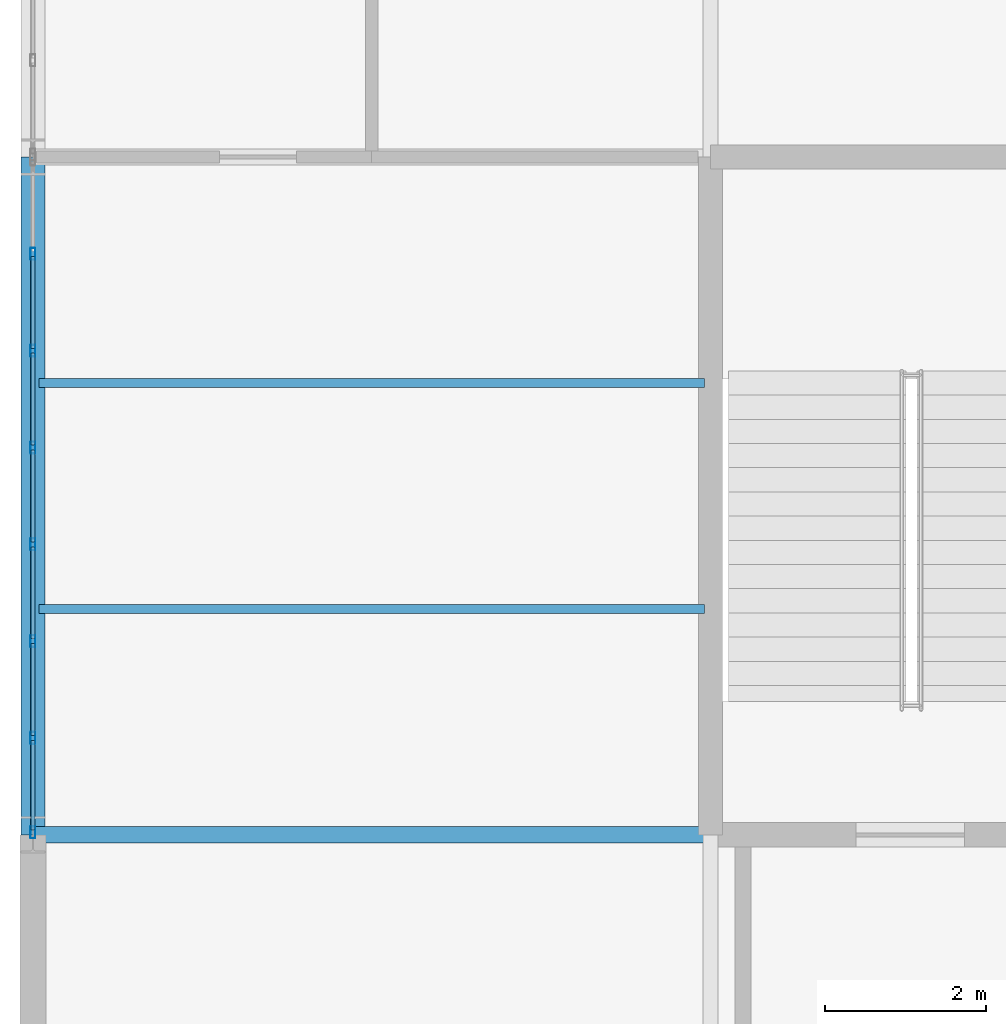
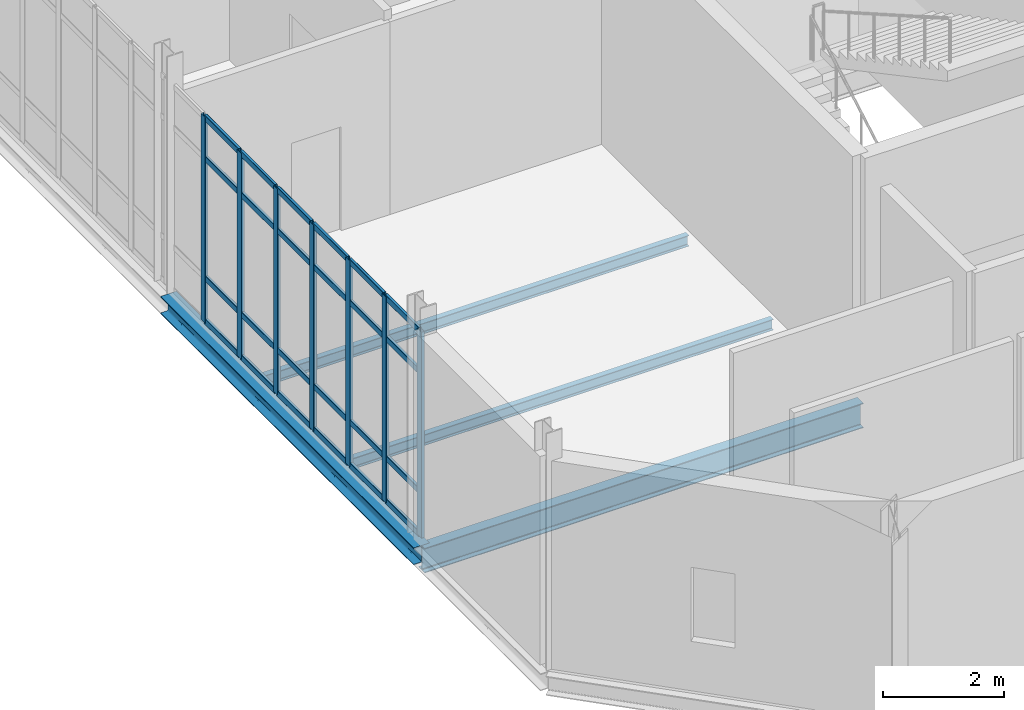
# One storey, part 5 of 28: 31 members, 4 beams, 1 element without a shape of its own.
"""IFC4 building model written with IfcOpenShell, lengths in metres."""

from ifc_helpers import new_model, si_unit, direction, frame, origin, origin_2d, place, context, subcontext, project, spatial, hollow_rectangle, i_section, extrude, material, layer, layer_set, material_profile, profile_set, type_object, element, aggregate, save


model = new_model("IFC4")

# Units and contexts
model_context = context("Model", 3, precision=1e-05, world=origin(), true_north=direction((0.0, 1.0)))
body_context = subcontext(model_context, "Body", "Model", "MODEL_VIEW")
ifc_project = project(units=[si_unit("LENGTHUNIT", "METRE"), si_unit("AREAUNIT", "SQUARE_METRE"), si_unit("VOLUMEUNIT", "CUBIC_METRE"), si_unit("PLANEANGLEUNIT", "RADIAN"), si_unit("MASSUNIT", "GRAM", prefix="KILO")], contexts=[model_context])

# Site, building, storey
site_placement = place(None, origin())
site = spatial("IfcSite", under=ifc_project, at=site_placement, CompositionType="ELEMENT")
building_placement = place(site_placement, origin())
building = spatial("IfcBuilding", under=site, at=building_placement, Name="Qalvenar Corner Mobility Hub", CompositionType="ELEMENT")
storey_placement = place(building_placement, frame((0.0, 0.0, 21.60009765625)))
storey = spatial("IfcBuildingStorey", under=building, at=storey_placement, Name="L05", CompositionType="ELEMENT", Elevation=21.60009765625)

# Beams
ifc_material_1 = material(Name="Steel S355", Category="steel")
ifc_material_profile_1 = material_profile(ifc_material_1, i_section(OverallWidth=0.199951171875, OverallDepth=0.5, WebThickness=0.01025390625, FlangeThickness=0.01611328125, FilletRadius=0.02099609375, at=origin_2d()), Name="IPE500")
ifc_profile_set_1 = profile_set([ifc_material_profile_1], Name="Steel S355")
beam_type_1 = type_object("IfcBeamType", Name="BM-IPE500", PredefinedType="BEAM", material=ifc_profile_set_1)
beam_1_placement = place(storey_placement, frame((0.0, 8.39990234375, -0.43017578125), z_axis=(1.0, 0.0, 0.0), x_axis=(0.0, 1.0, 0.0)))
element("IfcBeam", 1, at=beam_1_placement, inside=storey, type_object=beam_type_1, Name="Primary Steel Girder GX-2950", PredefinedType="BEAM", context=body_context, shape_type="SweptSolid", body=[
    extrude(i_section(OverallWidth=0.199951171875, OverallDepth=0.5, WebThickness=0.01025390625, FlangeThickness=0.01611328125, FilletRadius=0.02099609375, at=origin_2d()), origin(), (0.0, 0.0, 1.0), 8.39990234375),
])
ifc_material_profile_2 = material_profile(ifc_material_1, i_section(OverallWidth=0.110107421875, OverallDepth=0.219970703125, WebThickness=0.005859375, FlangeThickness=0.00927734375, FilletRadius=0.011962890625, at=origin_2d()), Name="IPE220")
ifc_profile_set_2 = profile_set([ifc_material_profile_2], Name="Steel S355")
beam_type_2 = type_object("IfcBeamType", Name="BM-JST220", PredefinedType="JOIST", material=ifc_profile_set_2)
for number, where, z_axis, x_axis, name in (
    (2, (0.077880859375, 11.199951171875, -0.2900390625), (1.0, 0.0, 0.0), (0.0, 1.0, 0.0), "Composite Floor Joist J-3008"),
    (3, (0.077880859375, 14.0, -0.2900390625), (1.0, 0.0, 0.0), (0.0, 1.0, 0.0), "Composite Floor Joist J-3009"),
):
    element("IfcBeam", number, at=place(storey_placement, frame(where, z_axis=z_axis, x_axis=x_axis)), inside=storey, type_object=beam_type_2, Name=name, PredefinedType="JOIST", context=body_context, shape_type="SweptSolid", body=[
        extrude(i_section(OverallWidth=0.110107421875, OverallDepth=0.219970703125, WebThickness=0.005859375, FlangeThickness=0.00927734375, FilletRadius=0.011962890625, at=origin_2d()), origin(), (0.0, 0.0, 1.0), 8.244140625),
    ])
ifc_material_profile_3 = material_profile(ifc_material_1, i_section(OverallWidth=0.300048828125, OverallDepth=0.35009765625, WebThickness=0.010009765625, FlangeThickness=0.017578125, FilletRadius=0.027099609375, at=origin_2d()), Name="HEA360")
ifc_profile_set_3 = profile_set([ifc_material_profile_3], Name="Steel S355")
beam_type_3 = type_object("IfcBeamType", Name="BM-SPN360", PredefinedType="SPANDREL", material=ifc_profile_set_3)
beam_2_placement = place(storey_placement, frame((0.0, 8.39990234375, -0.35498046875), z_axis=(0.0, 1.0, 0.0), x_axis=(-1.0, 0.0, 0.0)))
element("IfcBeam", 4, at=beam_2_placement, inside=storey, type_object=beam_type_3, Name="Primary Steel Girder GY-2976", PredefinedType="SPANDREL", context=body_context, shape_type="SweptSolid", body=[
    extrude(i_section(OverallWidth=0.300048828125, OverallDepth=0.35009765625, WebThickness=0.010009765625, FlangeThickness=0.017578125, FilletRadius=0.027099609375, at=origin_2d()), origin(), (0.0, 0.0, 1.0), 8.400146484375),
])

# Curtain wall, members
ifc_material_2 = material(Name="Anodised Aluminium and Low-E Glazing", Category="aluminium")
ifc_layer = layer(ifc_material_2, 0.14990234375)
ifc_layer_set = layer_set([ifc_layer], Name="Anodised Aluminium and Low-E Glazing")
curtain_wall_type = type_object("IfcCurtainWallType", Name="CW-CIV-84X40", PredefinedType="NOTDEFINED", material=ifc_layer_set)
curtain_wall_placement = place(storey_placement, origin())
curtain_wall = element("IfcCurtainWall", 5, at=curtain_wall_placement, inside=storey, type_object=curtain_wall_type, Name="Glazed Curtain Wall CW-V3-L05-W1", PredefinedType="NOTDEFINED")
ifc_material_3 = material(Name="Anodised Aluminium 6063-T6", Category="aluminium")
ifc_material_profile_4 = material_profile(ifc_material_3, hollow_rectangle(XDim=0.06005859375, YDim=0.14990234375, WallThickness=0.00390625, InnerFilletRadius=0.00390625, OuterFilletRadius=0.008056640625, at=origin_2d()), Name="RHS150x60x4")
ifc_profile_set_4 = profile_set([ifc_material_profile_4], Name="Anodised Aluminium 6063-T6")
member_type_1 = type_object("IfcMemberType", Name="CW-MUL150", PredefinedType="MULLION", material=ifc_profile_set_4)
member_1_placement = place(storey_placement, frame((0.0, 15.60009765625, 0.0), z_axis=(0.0, 0.0, 1.0), x_axis=(1.0, 0.0, 0.0)))
member_1 = element("IfcMember", 6, at=member_1_placement, type_object=member_type_1, Name="CW-05 mullion 2", PredefinedType="MULLION", context=body_context, shape_type="SweptSolid", body=[
    extrude(hollow_rectangle(XDim=0.06005859375, YDim=0.14990234375, WallThickness=0.00390625, InnerFilletRadius=0.00390625, OuterFilletRadius=0.008056640625, at=origin_2d()), origin(), (0.0, 0.0, 1.0), 4.169921875),
])
member_2_placement = place(storey_placement, frame((0.0, 14.39990234375, 0.0), z_axis=(0.0, 0.0, 1.0), x_axis=(1.0, 0.0, 0.0)))
member_2 = element("IfcMember", 7, at=member_2_placement, type_object=member_type_1, Name="CW-05 mullion 3", PredefinedType="MULLION", context=body_context, shape_type="SweptSolid", body=[
    extrude(hollow_rectangle(XDim=0.06005859375, YDim=0.14990234375, WallThickness=0.00390625, InnerFilletRadius=0.00390625, OuterFilletRadius=0.008056640625, at=origin_2d()), origin(), (0.0, 0.0, 1.0), 4.169921875),
])
member_3_placement = place(storey_placement, frame((0.0, 13.199951171875, 0.0), z_axis=(0.0, 0.0, 1.0), x_axis=(1.0, 0.0, 0.0)))
member_3 = element("IfcMember", 8, at=member_3_placement, type_object=member_type_1, Name="CW-05 mullion 4", PredefinedType="MULLION", context=body_context, shape_type="SweptSolid", body=[
    extrude(hollow_rectangle(XDim=0.06005859375, YDim=0.14990234375, WallThickness=0.00390625, InnerFilletRadius=0.00390625, OuterFilletRadius=0.008056640625, at=origin_2d()), origin(), (0.0, 0.0, 1.0), 4.169921875),
])
member_4_placement = place(storey_placement, frame((0.0, 12.0, 0.0), z_axis=(0.0, 0.0, 1.0), x_axis=(1.0, 0.0, 0.0)))
member_4 = element("IfcMember", 9, at=member_4_placement, type_object=member_type_1, Name="CW-05 mullion 5", PredefinedType="MULLION", context=body_context, shape_type="SweptSolid", body=[
    extrude(hollow_rectangle(XDim=0.06005859375, YDim=0.14990234375, WallThickness=0.00390625, InnerFilletRadius=0.00390625, OuterFilletRadius=0.008056640625, at=origin_2d()), origin(), (0.0, 0.0, 1.0), 4.169921875),
])
member_5_placement = place(storey_placement, frame((0.0, 10.800048828125, 0.0), z_axis=(0.0, 0.0, 1.0), x_axis=(1.0, 0.0, 0.0)))
member_5 = element("IfcMember", 10, at=member_5_placement, type_object=member_type_1, Name="CW-05 mullion 6", PredefinedType="MULLION", context=body_context, shape_type="SweptSolid", body=[
    extrude(hollow_rectangle(XDim=0.06005859375, YDim=0.14990234375, WallThickness=0.00390625, InnerFilletRadius=0.00390625, OuterFilletRadius=0.008056640625, at=origin_2d()), origin(), (0.0, 0.0, 1.0), 4.169921875),
])
member_6_placement = place(storey_placement, frame((0.0, 9.60009765625, 0.0), z_axis=(0.0, 0.0, 1.0), x_axis=(1.0, 0.0, 0.0)))
member_6 = element("IfcMember", 11, at=member_6_placement, type_object=member_type_1, Name="CW-05 mullion 7", PredefinedType="MULLION", context=body_context, shape_type="SweptSolid", body=[
    extrude(hollow_rectangle(XDim=0.06005859375, YDim=0.14990234375, WallThickness=0.00390625, InnerFilletRadius=0.00390625, OuterFilletRadius=0.008056640625, at=origin_2d()), origin(), (0.0, 0.0, 1.0), 4.169921875),
])
member_7_placement = place(storey_placement, frame((0.0, 8.429931640625, 0.0), z_axis=(0.0, 0.0, 1.0), x_axis=(1.0, 0.0, 0.0)))
member_7 = element("IfcMember", 12, at=member_7_placement, type_object=member_type_1, Name="CW-05 mullion 8", PredefinedType="MULLION", context=body_context, shape_type="SweptSolid", body=[
    extrude(hollow_rectangle(XDim=0.06005859375, YDim=0.14990234375, WallThickness=0.00390625, InnerFilletRadius=0.00390625, OuterFilletRadius=0.008056640625, at=origin_2d()), origin(), (0.0, 0.0, 1.0), 4.169921875),
])
ifc_material_profile_5 = material_profile(ifc_material_3, hollow_rectangle(XDim=0.054931640625, YDim=0.1201171875, WallThickness=0.00341796875, InnerFilletRadius=0.00341796875, OuterFilletRadius=0.007080078125, at=origin_2d()), Name="RHS120x55x3.5")
ifc_profile_set_5 = profile_set([ifc_material_profile_5], Name="Anodised Aluminium 6063-T6")
member_type_2 = type_object("IfcMemberType", Name="CW-TRN120", PredefinedType="USERDEFINED", material=ifc_profile_set_5)
member_8_placement = place(storey_placement, frame((0.0, 15.570068359375, 0.02734375), z_axis=(0.0, -1.0, 0.0), x_axis=(1.0, 0.0, 0.0)))
member_8 = element("IfcMember", 13, at=member_8_placement, type_object=member_type_2, Name="CW-05 transom 2.1", ObjectType="TRANSOM", PredefinedType="USERDEFINED", context=body_context, shape_type="SweptSolid", body=[
    extrude(hollow_rectangle(XDim=0.054931640625, YDim=0.1201171875, WallThickness=0.00341796875, InnerFilletRadius=0.00341796875, OuterFilletRadius=0.007080078125, at=origin_2d()), origin(), (0.0, 0.0, 1.0), 1.14013671875),
])
member_9_placement = place(storey_placement, frame((0.0, 15.570068359375, 0.89990234375), z_axis=(0.0, -1.0, 0.0), x_axis=(1.0, 0.0, 0.0)))
member_9 = element("IfcMember", 14, at=member_9_placement, type_object=member_type_2, Name="CW-05 transom 2.2", ObjectType="TRANSOM", PredefinedType="USERDEFINED", context=body_context, shape_type="SweptSolid", body=[
    extrude(hollow_rectangle(XDim=0.054931640625, YDim=0.1201171875, WallThickness=0.00341796875, InnerFilletRadius=0.00341796875, OuterFilletRadius=0.007080078125, at=origin_2d()), origin(), (0.0, 0.0, 1.0), 1.14013671875),
])
member_10_placement = place(storey_placement, frame((0.0, 15.570068359375, 3.31982421875), z_axis=(0.0, -1.0, 0.0), x_axis=(1.0, 0.0, 0.0)))
member_10 = element("IfcMember", 15, at=member_10_placement, type_object=member_type_2, Name="CW-05 transom 2.3", ObjectType="TRANSOM", PredefinedType="USERDEFINED", context=body_context, shape_type="SweptSolid", body=[
    extrude(hollow_rectangle(XDim=0.054931640625, YDim=0.1201171875, WallThickness=0.00341796875, InnerFilletRadius=0.00341796875, OuterFilletRadius=0.007080078125, at=origin_2d()), origin(), (0.0, 0.0, 1.0), 1.14013671875),
])
member_11_placement = place(storey_placement, frame((0.0, 15.570068359375, 4.142333984375), z_axis=(0.0, -1.0, 0.0), x_axis=(1.0, 0.0, 0.0)))
member_11 = element("IfcMember", 16, at=member_11_placement, type_object=member_type_2, Name="CW-05 transom 2.4", ObjectType="TRANSOM", PredefinedType="USERDEFINED", context=body_context, shape_type="SweptSolid", body=[
    extrude(hollow_rectangle(XDim=0.054931640625, YDim=0.1201171875, WallThickness=0.00341796875, InnerFilletRadius=0.00341796875, OuterFilletRadius=0.007080078125, at=origin_2d()), origin(), (0.0, 0.0, 1.0), 1.14013671875),
])
member_12_placement = place(storey_placement, frame((0.0, 14.3701171875, 0.02734375), z_axis=(0.0, -1.0, 0.0), x_axis=(1.0, 0.0, 0.0)))
member_12 = element("IfcMember", 17, at=member_12_placement, type_object=member_type_2, Name="CW-05 transom 3.1", ObjectType="TRANSOM", PredefinedType="USERDEFINED", context=body_context, shape_type="SweptSolid", body=[
    extrude(hollow_rectangle(XDim=0.054931640625, YDim=0.1201171875, WallThickness=0.00341796875, InnerFilletRadius=0.00341796875, OuterFilletRadius=0.007080078125, at=origin_2d()), origin(), (0.0, 0.0, 1.0), 1.14013671875),
])
member_13_placement = place(storey_placement, frame((0.0, 14.3701171875, 0.89990234375), z_axis=(0.0, -1.0, 0.0), x_axis=(1.0, 0.0, 0.0)))
member_13 = element("IfcMember", 18, at=member_13_placement, type_object=member_type_2, Name="CW-05 transom 3.2", ObjectType="TRANSOM", PredefinedType="USERDEFINED", context=body_context, shape_type="SweptSolid", body=[
    extrude(hollow_rectangle(XDim=0.054931640625, YDim=0.1201171875, WallThickness=0.00341796875, InnerFilletRadius=0.00341796875, OuterFilletRadius=0.007080078125, at=origin_2d()), origin(), (0.0, 0.0, 1.0), 1.14013671875),
])
member_14_placement = place(storey_placement, frame((0.0, 14.3701171875, 3.31982421875), z_axis=(0.0, -1.0, 0.0), x_axis=(1.0, 0.0, 0.0)))
member_14 = element("IfcMember", 19, at=member_14_placement, type_object=member_type_2, Name="CW-05 transom 3.3", ObjectType="TRANSOM", PredefinedType="USERDEFINED", context=body_context, shape_type="SweptSolid", body=[
    extrude(hollow_rectangle(XDim=0.054931640625, YDim=0.1201171875, WallThickness=0.00341796875, InnerFilletRadius=0.00341796875, OuterFilletRadius=0.007080078125, at=origin_2d()), origin(), (0.0, 0.0, 1.0), 1.14013671875),
])
member_15_placement = place(storey_placement, frame((0.0, 14.3701171875, 4.142333984375), z_axis=(0.0, -1.0, 0.0), x_axis=(1.0, 0.0, 0.0)))
member_15 = element("IfcMember", 20, at=member_15_placement, type_object=member_type_2, Name="CW-05 transom 3.4", ObjectType="TRANSOM", PredefinedType="USERDEFINED", context=body_context, shape_type="SweptSolid", body=[
    extrude(hollow_rectangle(XDim=0.054931640625, YDim=0.1201171875, WallThickness=0.00341796875, InnerFilletRadius=0.00341796875, OuterFilletRadius=0.007080078125, at=origin_2d()), origin(), (0.0, 0.0, 1.0), 1.14013671875),
])
member_16_placement = place(storey_placement, frame((0.0, 13.169921875, 0.02734375), z_axis=(0.0, -1.0, 0.0), x_axis=(1.0, 0.0, 0.0)))
member_16 = element("IfcMember", 21, at=member_16_placement, type_object=member_type_2, Name="CW-05 transom 4.1", ObjectType="TRANSOM", PredefinedType="USERDEFINED", context=body_context, shape_type="SweptSolid", body=[
    extrude(hollow_rectangle(XDim=0.054931640625, YDim=0.1201171875, WallThickness=0.00341796875, InnerFilletRadius=0.00341796875, OuterFilletRadius=0.007080078125, at=origin_2d()), origin(), (0.0, 0.0, 1.0), 1.139892578125),
])
member_17_placement = place(storey_placement, frame((0.0, 13.169921875, 0.89990234375), z_axis=(0.0, -1.0, 0.0), x_axis=(1.0, 0.0, 0.0)))
member_17 = element("IfcMember", 22, at=member_17_placement, type_object=member_type_2, Name="CW-05 transom 4.2", ObjectType="TRANSOM", PredefinedType="USERDEFINED", context=body_context, shape_type="SweptSolid", body=[
    extrude(hollow_rectangle(XDim=0.054931640625, YDim=0.1201171875, WallThickness=0.00341796875, InnerFilletRadius=0.00341796875, OuterFilletRadius=0.007080078125, at=origin_2d()), origin(), (0.0, 0.0, 1.0), 1.139892578125),
])
member_18_placement = place(storey_placement, frame((0.0, 13.169921875, 3.31982421875), z_axis=(0.0, -1.0, 0.0), x_axis=(1.0, 0.0, 0.0)))
member_18 = element("IfcMember", 23, at=member_18_placement, type_object=member_type_2, Name="CW-05 transom 4.3", ObjectType="TRANSOM", PredefinedType="USERDEFINED", context=body_context, shape_type="SweptSolid", body=[
    extrude(hollow_rectangle(XDim=0.054931640625, YDim=0.1201171875, WallThickness=0.00341796875, InnerFilletRadius=0.00341796875, OuterFilletRadius=0.007080078125, at=origin_2d()), origin(), (0.0, 0.0, 1.0), 1.139892578125),
])
member_19_placement = place(storey_placement, frame((0.0, 13.169921875, 4.142333984375), z_axis=(0.0, -1.0, 0.0), x_axis=(1.0, 0.0, 0.0)))
member_19 = element("IfcMember", 24, at=member_19_placement, type_object=member_type_2, Name="CW-05 transom 4.4", ObjectType="TRANSOM", PredefinedType="USERDEFINED", context=body_context, shape_type="SweptSolid", body=[
    extrude(hollow_rectangle(XDim=0.054931640625, YDim=0.1201171875, WallThickness=0.00341796875, InnerFilletRadius=0.00341796875, OuterFilletRadius=0.007080078125, at=origin_2d()), origin(), (0.0, 0.0, 1.0), 1.139892578125),
])
member_20_placement = place(storey_placement, frame((0.0, 11.969970703125, 0.02734375), z_axis=(0.0, -1.0, 0.0), x_axis=(1.0, 0.0, 0.0)))
member_20 = element("IfcMember", 25, at=member_20_placement, type_object=member_type_2, Name="CW-05 transom 5.1", ObjectType="TRANSOM", PredefinedType="USERDEFINED", context=body_context, shape_type="SweptSolid", body=[
    extrude(hollow_rectangle(XDim=0.054931640625, YDim=0.1201171875, WallThickness=0.00341796875, InnerFilletRadius=0.00341796875, OuterFilletRadius=0.007080078125, at=origin_2d()), origin(), (0.0, 0.0, 1.0), 1.139892578125),
])
member_21_placement = place(storey_placement, frame((0.0, 11.969970703125, 0.89990234375), z_axis=(0.0, -1.0, 0.0), x_axis=(1.0, 0.0, 0.0)))
member_21 = element("IfcMember", 26, at=member_21_placement, type_object=member_type_2, Name="CW-05 transom 5.2", ObjectType="TRANSOM", PredefinedType="USERDEFINED", context=body_context, shape_type="SweptSolid", body=[
    extrude(hollow_rectangle(XDim=0.054931640625, YDim=0.1201171875, WallThickness=0.00341796875, InnerFilletRadius=0.00341796875, OuterFilletRadius=0.007080078125, at=origin_2d()), origin(), (0.0, 0.0, 1.0), 1.139892578125),
])
member_22_placement = place(storey_placement, frame((0.0, 11.969970703125, 3.31982421875), z_axis=(0.0, -1.0, 0.0), x_axis=(1.0, 0.0, 0.0)))
member_22 = element("IfcMember", 27, at=member_22_placement, type_object=member_type_2, Name="CW-05 transom 5.3", ObjectType="TRANSOM", PredefinedType="USERDEFINED", context=body_context, shape_type="SweptSolid", body=[
    extrude(hollow_rectangle(XDim=0.054931640625, YDim=0.1201171875, WallThickness=0.00341796875, InnerFilletRadius=0.00341796875, OuterFilletRadius=0.007080078125, at=origin_2d()), origin(), (0.0, 0.0, 1.0), 1.139892578125),
])
member_23_placement = place(storey_placement, frame((0.0, 11.969970703125, 4.142333984375), z_axis=(0.0, -1.0, 0.0), x_axis=(1.0, 0.0, 0.0)))
member_23 = element("IfcMember", 28, at=member_23_placement, type_object=member_type_2, Name="CW-05 transom 5.4", ObjectType="TRANSOM", PredefinedType="USERDEFINED", context=body_context, shape_type="SweptSolid", body=[
    extrude(hollow_rectangle(XDim=0.054931640625, YDim=0.1201171875, WallThickness=0.00341796875, InnerFilletRadius=0.00341796875, OuterFilletRadius=0.007080078125, at=origin_2d()), origin(), (0.0, 0.0, 1.0), 1.139892578125),
])
member_24_placement = place(storey_placement, frame((0.0, 10.77001953125, 0.02734375), z_axis=(0.0, -1.0, 0.0), x_axis=(1.0, 0.0, 0.0)))
member_24 = element("IfcMember", 29, at=member_24_placement, type_object=member_type_2, Name="CW-05 transom 6.1", ObjectType="TRANSOM", PredefinedType="USERDEFINED", context=body_context, shape_type="SweptSolid", body=[
    extrude(hollow_rectangle(XDim=0.054931640625, YDim=0.1201171875, WallThickness=0.00341796875, InnerFilletRadius=0.00341796875, OuterFilletRadius=0.007080078125, at=origin_2d()), origin(), (0.0, 0.0, 1.0), 1.14013671875),
])
member_25_placement = place(storey_placement, frame((0.0, 10.77001953125, 0.89990234375), z_axis=(0.0, -1.0, 0.0), x_axis=(1.0, 0.0, 0.0)))
member_25 = element("IfcMember", 30, at=member_25_placement, type_object=member_type_2, Name="CW-05 transom 6.2", ObjectType="TRANSOM", PredefinedType="USERDEFINED", context=body_context, shape_type="SweptSolid", body=[
    extrude(hollow_rectangle(XDim=0.054931640625, YDim=0.1201171875, WallThickness=0.00341796875, InnerFilletRadius=0.00341796875, OuterFilletRadius=0.007080078125, at=origin_2d()), origin(), (0.0, 0.0, 1.0), 1.14013671875),
])
member_26_placement = place(storey_placement, frame((0.0, 10.77001953125, 3.31982421875), z_axis=(0.0, -1.0, 0.0), x_axis=(1.0, 0.0, 0.0)))
member_26 = element("IfcMember", 31, at=member_26_placement, type_object=member_type_2, Name="CW-05 transom 6.3", ObjectType="TRANSOM", PredefinedType="USERDEFINED", context=body_context, shape_type="SweptSolid", body=[
    extrude(hollow_rectangle(XDim=0.054931640625, YDim=0.1201171875, WallThickness=0.00341796875, InnerFilletRadius=0.00341796875, OuterFilletRadius=0.007080078125, at=origin_2d()), origin(), (0.0, 0.0, 1.0), 1.14013671875),
])
member_27_placement = place(storey_placement, frame((0.0, 10.77001953125, 4.142333984375), z_axis=(0.0, -1.0, 0.0), x_axis=(1.0, 0.0, 0.0)))
member_27 = element("IfcMember", 32, at=member_27_placement, type_object=member_type_2, Name="CW-05 transom 6.4", ObjectType="TRANSOM", PredefinedType="USERDEFINED", context=body_context, shape_type="SweptSolid", body=[
    extrude(hollow_rectangle(XDim=0.054931640625, YDim=0.1201171875, WallThickness=0.00341796875, InnerFilletRadius=0.00341796875, OuterFilletRadius=0.007080078125, at=origin_2d()), origin(), (0.0, 0.0, 1.0), 1.14013671875),
])
member_28_placement = place(storey_placement, frame((0.0, 9.570068359375, 0.02734375), z_axis=(0.0, -1.0, 0.0), x_axis=(1.0, 0.0, 0.0)))
member_28 = element("IfcMember", 33, at=member_28_placement, type_object=member_type_2, Name="CW-05 transom 7.1", ObjectType="TRANSOM", PredefinedType="USERDEFINED", context=body_context, shape_type="SweptSolid", body=[
    extrude(hollow_rectangle(XDim=0.054931640625, YDim=0.1201171875, WallThickness=0.00341796875, InnerFilletRadius=0.00341796875, OuterFilletRadius=0.007080078125, at=origin_2d()), origin(), (0.0, 0.0, 1.0), 1.110107421875),
])
member_29_placement = place(storey_placement, frame((0.0, 9.570068359375, 0.89990234375), z_axis=(0.0, -1.0, 0.0), x_axis=(1.0, 0.0, 0.0)))
member_29 = element("IfcMember", 34, at=member_29_placement, type_object=member_type_2, Name="CW-05 transom 7.2", ObjectType="TRANSOM", PredefinedType="USERDEFINED", context=body_context, shape_type="SweptSolid", body=[
    extrude(hollow_rectangle(XDim=0.054931640625, YDim=0.1201171875, WallThickness=0.00341796875, InnerFilletRadius=0.00341796875, OuterFilletRadius=0.007080078125, at=origin_2d()), origin(), (0.0, 0.0, 1.0), 1.110107421875),
])
member_30_placement = place(storey_placement, frame((0.0, 9.570068359375, 3.31982421875), z_axis=(0.0, -1.0, 0.0), x_axis=(1.0, 0.0, 0.0)))
member_30 = element("IfcMember", 35, at=member_30_placement, type_object=member_type_2, Name="CW-05 transom 7.3", ObjectType="TRANSOM", PredefinedType="USERDEFINED", context=body_context, shape_type="SweptSolid", body=[
    extrude(hollow_rectangle(XDim=0.054931640625, YDim=0.1201171875, WallThickness=0.00341796875, InnerFilletRadius=0.00341796875, OuterFilletRadius=0.007080078125, at=origin_2d()), origin(), (0.0, 0.0, 1.0), 1.110107421875),
])
member_31_placement = place(storey_placement, frame((0.0, 9.570068359375, 4.142333984375), z_axis=(0.0, -1.0, 0.0), x_axis=(1.0, 0.0, 0.0)))
member_31 = element("IfcMember", 36, at=member_31_placement, type_object=member_type_2, Name="CW-05 transom 7.4", ObjectType="TRANSOM", PredefinedType="USERDEFINED", context=body_context, shape_type="SweptSolid", body=[
    extrude(hollow_rectangle(XDim=0.054931640625, YDim=0.1201171875, WallThickness=0.00341796875, InnerFilletRadius=0.00341796875, OuterFilletRadius=0.007080078125, at=origin_2d()), origin(), (0.0, 0.0, 1.0), 1.110107421875),
])
aggregate(curtain_wall, [member_1, member_2, member_3, member_4, member_5, member_6, member_7, member_8, member_9, member_10, member_11, member_12, member_13, member_14, member_15, member_16, member_17, member_18, member_19, member_20, member_21, member_22, member_23, member_24, member_25, member_26, member_27, member_28, member_29, member_30, member_31])

save(model, "model.ifc")
